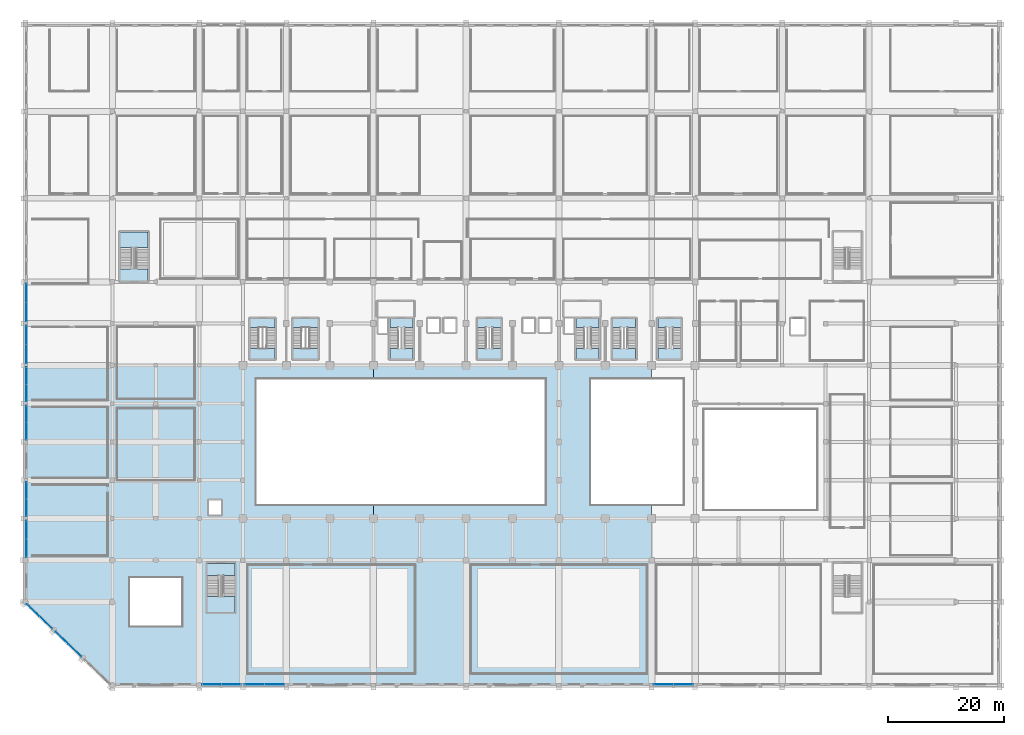
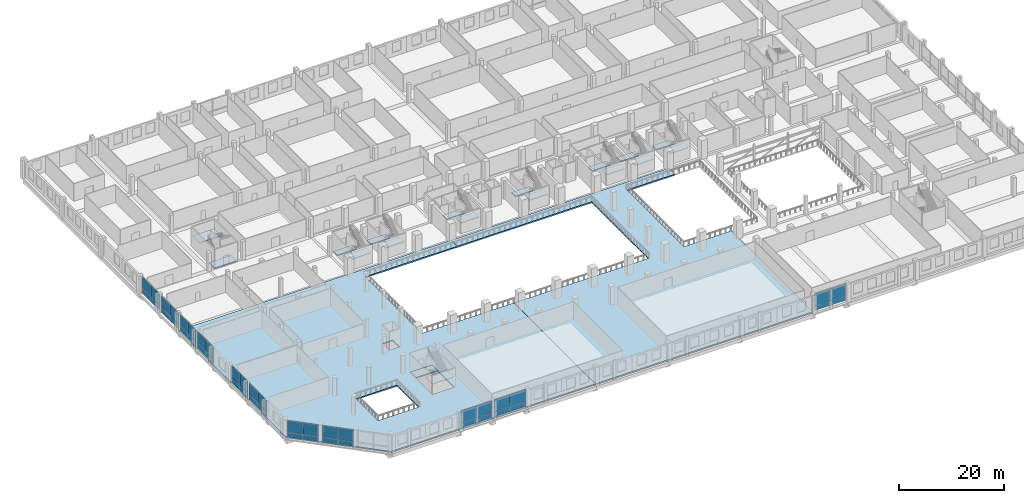
# One storey, part 37 of 64: 33 plates, 20 slabs, 20 elements without a shape of their own.
"""IFC4 building model written with IfcOpenShell, lengths in metres."""

from ifc_helpers import new_model, si_unit, direction, frame, origin, origin_2d, place, context, subcontext, project, spatial, polyline, rectangle, outline, extrude, material, layer, layer_set, type_object, element, aggregate, save


model = new_model("IFC4")

# Units and contexts
model_context = context("Model", 3, precision=1e-05, world=origin(), true_north=direction((0.0, 1.0)))
body_context = subcontext(model_context, "Body", "Model", "MODEL_VIEW")
ifc_project = project(units=[si_unit("LENGTHUNIT", "METRE"), si_unit("AREAUNIT", "SQUARE_METRE"), si_unit("VOLUMEUNIT", "CUBIC_METRE"), si_unit("PLANEANGLEUNIT", "RADIAN"), si_unit("MASSUNIT", "GRAM", prefix="KILO")], contexts=[model_context])

# Site, building, storey
site_placement = place(None, origin())
site = spatial("IfcSite", under=ifc_project, at=site_placement, CompositionType="ELEMENT")
building_placement = place(site_placement, origin())
building = spatial("IfcBuilding", under=site, at=building_placement, Name="Akrevak Sports Hall", CompositionType="ELEMENT")
storey_placement = place(building_placement, frame((0.0, 0.0, 4.60009765625)))
storey = spatial("IfcBuildingStorey", under=building, at=storey_placement, Name="L01", CompositionType="ELEMENT", Elevation=4.60009765625)

# Curtain wall, plates
ifc_material_1 = material(Name="Anodized Bronze Aluminium & Low-E Glass", Category="aluminium")
curtain_wall_type_1 = type_object("IfcCurtainWallType", Name="ARC-CW-POD-64x44", PredefinedType="NOTDEFINED", material=ifc_material_1)
curtain_wall_1_placement = place(storey_placement, origin())
curtain_wall_1 = element("IfcCurtainWall", 1, at=curtain_wall_1_placement, inside=storey, type_object=curtain_wall_type_1, Name="Curtain Wall CW-L01-CH2", PredefinedType="NOTDEFINED")
ifc_material_2 = material(Name="Double Low-E Tempered Glass", Category="glass")
ifc_layer_1 = layer(ifc_material_2, 0.035888671875, Name="Double Low-E Tempered Glass")
ifc_layer_set_1 = layer_set([ifc_layer_1], Name="Double Low-E Tempered Glass")
plate_type_1 = type_object("IfcPlateType", Name="ARC-CWP-GLZ-36", PredefinedType="CURTAIN_PANEL", material=ifc_layer_set_1)
plate_1_placement = place(storey_placement, frame((8.513671875, 6.060546875, 1.14990234375), z_axis=(0.0, 0.0, 1.0), x_axis=(-0.721385636978, 0.692533582407, 0.0)))
plate_1 = element("IfcPlate", 2, at=plate_1_placement, type_object=plate_type_1, Name="Vision Glass Panel CW-L01-CH2-G1", PredefinedType="CURTAIN_PANEL", context=body_context, shape_type="SweptSolid", body=[
    extrude(rectangle(XDim=3.04052734375, YDim=0.035888671875, at=origin_2d()), origin(), (0.0, 0.0, 1.0), 2.7900390625),
])
plate_2_placement = place(storey_placement, frame((6.3203125, 8.166259765625, 1.14990234375), z_axis=(0.0, 0.0, 1.0), x_axis=(-0.721385636978, 0.692533582407, 0.0)))
plate_2 = element("IfcPlate", 3, at=plate_2_placement, type_object=plate_type_1, Name="Vision Glass Panel CW-L01-CH2-G2", PredefinedType="CURTAIN_PANEL", context=body_context, shape_type="SweptSolid", body=[
    extrude(rectangle(XDim=3.04052734375, YDim=0.035888671875, at=origin_2d()), origin(), (0.0, 0.0, 1.0), 2.7900390625),
])

curtain_wall_2_placement = place(storey_placement, origin())
curtain_wall_2 = element("IfcCurtainWall", 4, at=curtain_wall_2_placement, inside=storey, type_object=curtain_wall_type_1, Name="Curtain Wall CW-L01-CH3", PredefinedType="NOTDEFINED")
plate_3_placement = place(storey_placement, frame((3.513671875, 10.860595703125, 1.14990234375), z_axis=(0.0, 0.0, 1.0), x_axis=(-0.721385636978, 0.692533582407, 0.0)))
plate_3 = element("IfcPlate", 5, at=plate_3_placement, type_object=plate_type_1, Name="Vision Glass Panel CW-L01-CH3-G1", PredefinedType="CURTAIN_PANEL", context=body_context, shape_type="SweptSolid", body=[
    extrude(rectangle(XDim=3.04052734375, YDim=0.035888671875, at=origin_2d()), origin(), (0.0, 0.0, 1.0), 2.7900390625),
])
plate_4_placement = place(storey_placement, frame((1.3203125, 12.96630859375, 1.14990234375), z_axis=(0.0, 0.0, 1.0), x_axis=(-0.721385636978, 0.692533582407, 0.0)))
plate_4 = element("IfcPlate", 6, at=plate_4_placement, type_object=plate_type_1, Name="Vision Glass Panel CW-L01-CH3-G2", PredefinedType="CURTAIN_PANEL", context=body_context, shape_type="SweptSolid", body=[
    extrude(rectangle(XDim=3.04052734375, YDim=0.035888671875, at=origin_2d()), origin(), (0.0, 0.0, 1.0), 2.7900390625),
])

curtain_wall_3_placement = place(storey_placement, origin())
curtain_wall_3 = element("IfcCurtainWall", 7, at=curtain_wall_3_placement, inside=storey, type_object=curtain_wall_type_1, Name="Curtain Wall CW-L01-S03", PredefinedType="NOTDEFINED")
plate_5_placement = place(storey_placement, frame((32.168701171875, 0.18994140625, 1.14990234375), z_axis=(0.0, 0.0, 1.0), x_axis=(1.0, 0.0, 0.0)))
plate_5 = element("IfcPlate", 8, at=plate_5_placement, type_object=plate_type_1, Name="Vision Glass Panel CW-L01-S03-G1", PredefinedType="CURTAIN_PANEL", context=body_context, shape_type="SweptSolid", body=[
    extrude(rectangle(XDim=3.33740234375, YDim=0.035888671875, at=origin_2d()), origin(), (0.0, 0.0, 1.0), 2.7900390625),
])
plate_6_placement = place(storey_placement, frame((35.506103515625, 0.18994140625, 1.14990234375), z_axis=(0.0, 0.0, 1.0), x_axis=(1.0, 0.0, 0.0)))
plate_6 = element("IfcPlate", 9, at=plate_6_placement, type_object=plate_type_1, Name="Vision Glass Panel CW-L01-S03-G2", PredefinedType="CURTAIN_PANEL", context=body_context, shape_type="SweptSolid", body=[
    extrude(rectangle(XDim=3.33740234375, YDim=0.035888671875, at=origin_2d()), origin(), (0.0, 0.0, 1.0), 2.7900390625),
])

curtain_wall_type_2 = type_object("IfcCurtainWallType", Name="ARC-CW-POD-70x42", PredefinedType="NOTDEFINED", material=ifc_material_1)
curtain_wall_4_placement = place(storey_placement, origin())
curtain_wall_4 = element("IfcCurtainWall", 10, at=curtain_wall_4_placement, inside=storey, type_object=curtain_wall_type_2, Name="Curtain Wall CW-L01-S04", PredefinedType="NOTDEFINED")
plate_7_placement = place(storey_placement, frame((39.53759765625, 0.18994140625, 1.14990234375), z_axis=(0.0, 0.0, 1.0), x_axis=(1.0, 0.0, 0.0)))
plate_7 = element("IfcPlate", 11, at=plate_7_placement, type_object=plate_type_1, Name="Vision Glass Panel CW-L01-S04-G1", PredefinedType="CURTAIN_PANEL", context=body_context, shape_type="SweptSolid", body=[
    extrude(rectangle(XDim=3.425048828125, YDim=0.035888671875, at=origin_2d()), origin(), (0.0, 0.0, 1.0), 2.7900390625),
])
plate_8_placement = place(storey_placement, frame((42.96240234375, 0.18994140625, 1.14990234375), z_axis=(0.0, 0.0, 1.0), x_axis=(1.0, 0.0, 0.0)))
plate_8 = element("IfcPlate", 12, at=plate_8_placement, type_object=plate_type_1, Name="Vision Glass Panel CW-L01-S04-G2", PredefinedType="CURTAIN_PANEL", context=body_context, shape_type="SweptSolid", body=[
    extrude(rectangle(XDim=3.425048828125, YDim=0.035888671875, at=origin_2d()), origin(), (0.0, 0.0, 1.0), 2.7900390625),
])

curtain_wall_5_placement = place(storey_placement, origin())
curtain_wall_5 = element("IfcCurtainWall", 13, at=curtain_wall_5_placement, inside=storey, type_object=curtain_wall_type_2, Name="Curtain Wall CW-L01-S13", PredefinedType="NOTDEFINED")
plate_9_placement = place(storey_placement, frame((110.074951171875, 0.18994140625, 1.14990234375), z_axis=(0.0, 0.0, 1.0), x_axis=(1.0, 0.0, 0.0)))
plate_9 = element("IfcPlate", 14, at=plate_9_placement, type_object=plate_type_1, Name="Vision Glass Panel CW-L01-S13-G1", PredefinedType="CURTAIN_PANEL", context=body_context, shape_type="SweptSolid", body=[
    extrude(rectangle(XDim=3.39990234375, YDim=0.035888671875, at=origin_2d()), origin(), (0.0, 0.0, 1.0), 2.7900390625),
])
plate_10_placement = place(storey_placement, frame((113.47509765625, 0.18994140625, 1.14990234375), z_axis=(0.0, 0.0, 1.0), x_axis=(1.0, 0.0, 0.0)))
plate_10 = element("IfcPlate", 15, at=plate_10_placement, type_object=plate_type_1, Name="Vision Glass Panel CW-L01-S13-G2", PredefinedType="CURTAIN_PANEL", context=body_context, shape_type="SweptSolid", body=[
    extrude(rectangle(XDim=3.39990234375, YDim=0.035888671875, at=origin_2d()), origin(), (0.0, 0.0, 1.0), 2.7900390625),
])

curtain_wall_6_placement = place(storey_placement, origin())
curtain_wall_6 = element("IfcCurtainWall", 16, at=curtain_wall_6_placement, inside=storey, type_object=curtain_wall_type_1, Name="Curtain Wall CW-L01-W02", PredefinedType="NOTDEFINED")
plate_11_placement = place(storey_placement, frame((0.18994140625, 26.84375, 1.14990234375), z_axis=(0.0, 0.0, 1.0), x_axis=(0.0, -1.0, 0.0)))
plate_11 = element("IfcPlate", 17, at=plate_11_placement, type_object=plate_type_1, Name="Vision Glass Panel CW-L01-W02-G1", PredefinedType="CURTAIN_PANEL", context=body_context, shape_type="SweptSolid", body=[
    extrude(rectangle(XDim=3.16259765625, YDim=0.035888671875, at=origin_2d()), origin(), (0.0, 0.0, 1.0), 2.7900390625),
])
plate_12_placement = place(storey_placement, frame((0.18994140625, 23.681396484375, 1.14990234375), z_axis=(0.0, 0.0, 1.0), x_axis=(0.0, -1.0, 0.0)))
plate_12 = element("IfcPlate", 18, at=plate_12_placement, type_object=plate_type_1, Name="Vision Glass Panel CW-L01-W02-G2", PredefinedType="CURTAIN_PANEL", context=body_context, shape_type="SweptSolid", body=[
    extrude(rectangle(XDim=3.16259765625, YDim=0.035888671875, at=origin_2d()), origin(), (0.0, 0.0, 1.0), 2.7900390625),
])

curtain_wall_7_placement = place(storey_placement, origin())
curtain_wall_7 = element("IfcCurtainWall", 19, at=curtain_wall_7_placement, inside=storey, type_object=curtain_wall_type_1, Name="Curtain Wall CW-L01-W03", PredefinedType="NOTDEFINED")
plate_13_placement = place(storey_placement, frame((0.18994140625, 33.60009765625, 1.14990234375), z_axis=(0.0, 0.0, 1.0), x_axis=(0.0, -1.0, 0.0)))
plate_13 = element("IfcPlate", 20, at=plate_13_placement, type_object=plate_type_1, Name="Vision Glass Panel CW-L01-W03-G1", PredefinedType="CURTAIN_PANEL", context=body_context, shape_type="SweptSolid", body=[
    extrude(rectangle(XDim=2.949951171875, YDim=0.035888671875, at=origin_2d()), origin(), (0.0, 0.0, 1.0), 2.7900390625),
])
plate_14_placement = place(storey_placement, frame((0.18994140625, 30.64990234375, 1.14990234375), z_axis=(0.0, 0.0, 1.0), x_axis=(0.0, -1.0, 0.0)))
plate_14 = element("IfcPlate", 21, at=plate_14_placement, type_object=plate_type_1, Name="Vision Glass Panel CW-L01-W03-G2", PredefinedType="CURTAIN_PANEL", context=body_context, shape_type="SweptSolid", body=[
    extrude(rectangle(XDim=2.949951171875, YDim=0.035888671875, at=origin_2d()), origin(), (0.0, 0.0, 1.0), 2.7900390625),
])

curtain_wall_8_placement = place(storey_placement, origin())
curtain_wall_8 = element("IfcCurtainWall", 22, at=curtain_wall_8_placement, inside=storey, type_object=curtain_wall_type_1, Name="Curtain Wall CW-L01-W05", PredefinedType="NOTDEFINED")
plate_15_placement = place(storey_placement, frame((0.18994140625, 46.762451171875, 1.14990234375), z_axis=(0.0, 0.0, 1.0), x_axis=(0.0, -1.0, 0.0)))
plate_15 = element("IfcPlate", 23, at=plate_15_placement, type_object=plate_type_1, Name="Vision Glass Panel CW-L01-W05-G1", PredefinedType="CURTAIN_PANEL", context=body_context, shape_type="SweptSolid", body=[
    extrude(rectangle(XDim=2.925048828125, YDim=0.035888671875, at=origin_2d()), origin(), (0.0, 0.0, 1.0), 2.7900390625),
])
plate_16_placement = place(storey_placement, frame((0.18994140625, 43.83740234375, 1.14990234375), z_axis=(0.0, 0.0, 1.0), x_axis=(0.0, -1.0, 0.0)))
plate_16 = element("IfcPlate", 24, at=plate_16_placement, type_object=plate_type_1, Name="Vision Glass Panel CW-L01-W05-G2", PredefinedType="CURTAIN_PANEL", context=body_context, shape_type="SweptSolid", body=[
    extrude(rectangle(XDim=2.925048828125, YDim=0.035888671875, at=origin_2d()), origin(), (0.0, 0.0, 1.0), 2.7900390625),
])

curtain_wall_9_placement = place(storey_placement, origin())
curtain_wall_9 = element("IfcCurtainWall", 25, at=curtain_wall_9_placement, inside=storey, type_object=curtain_wall_type_1, Name="Curtain Wall CW-L01-W06", PredefinedType="NOTDEFINED")
plate_17_placement = place(storey_placement, frame((0.18994140625, 53.39990234375, 1.14990234375), z_axis=(0.0, 0.0, 1.0), x_axis=(0.0, -1.0, 0.0)))
plate_17 = element("IfcPlate", 26, at=plate_17_placement, type_object=plate_type_1, Name="Vision Glass Panel CW-L01-W06-G1", PredefinedType="CURTAIN_PANEL", context=body_context, shape_type="SweptSolid", body=[
    extrude(rectangle(XDim=2.949951171875, YDim=0.035888671875, at=origin_2d()), origin(), (0.0, 0.0, 1.0), 2.7900390625),
])
plate_18_placement = place(storey_placement, frame((0.18994140625, 50.449951171875, 1.14990234375), z_axis=(0.0, 0.0, 1.0), x_axis=(0.0, -1.0, 0.0)))
plate_18 = element("IfcPlate", 27, at=plate_18_placement, type_object=plate_type_1, Name="Vision Glass Panel CW-L01-W06-G2", PredefinedType="CURTAIN_PANEL", context=body_context, shape_type="SweptSolid", body=[
    extrude(rectangle(XDim=2.949951171875, YDim=0.035888671875, at=origin_2d()), origin(), (0.0, 0.0, 1.0), 2.7900390625),
])

curtain_wall_10_placement = place(storey_placement, origin())
curtain_wall_10 = element("IfcCurtainWall", 28, at=curtain_wall_10_placement, inside=storey, type_object=curtain_wall_type_1, Name="Curtain Wall CW-L01-W07", PredefinedType="NOTDEFINED")
plate_19_placement = place(storey_placement, frame((0.18994140625, 60.39990234375, 1.14990234375), z_axis=(0.0, 0.0, 1.0), x_axis=(0.0, -1.0, 0.0)))
plate_19 = element("IfcPlate", 29, at=plate_19_placement, type_object=plate_type_1, Name="Vision Glass Panel CW-L01-W07-G1", PredefinedType="CURTAIN_PANEL", context=body_context, shape_type="SweptSolid", body=[
    extrude(rectangle(XDim=3.25, YDim=0.035888671875, at=origin_2d()), origin(), (0.0, 0.0, 1.0), 2.7900390625),
])
plate_20_placement = place(storey_placement, frame((0.18994140625, 57.14990234375, 1.14990234375), z_axis=(0.0, 0.0, 1.0), x_axis=(0.0, -1.0, 0.0)))
plate_20 = element("IfcPlate", 30, at=plate_20_placement, type_object=plate_type_1, Name="Vision Glass Panel CW-L01-W07-G2", PredefinedType="CURTAIN_PANEL", context=body_context, shape_type="SweptSolid", body=[
    extrude(rectangle(XDim=3.25, YDim=0.035888671875, at=origin_2d()), origin(), (0.0, 0.0, 1.0), 2.7900390625),
])

curtain_wall_11_placement = place(storey_placement, origin())
curtain_wall_11 = element("IfcCurtainWall", 31, at=curtain_wall_11_placement, inside=storey, type_object=curtain_wall_type_1, Name="Curtain Wall CW-L01-W08", PredefinedType="NOTDEFINED")
plate_21_placement = place(storey_placement, frame((0.18994140625, 67.64990234375, 1.14990234375), z_axis=(0.0, 0.0, 1.0), x_axis=(0.0, -1.0, 0.0)))
plate_21 = element("IfcPlate", 32, at=plate_21_placement, type_object=plate_type_1, Name="Vision Glass Panel CW-L01-W08-G1", PredefinedType="CURTAIN_PANEL", context=body_context, shape_type="SweptSolid", body=[
    extrude(rectangle(XDim=3.25, YDim=0.035888671875, at=origin_2d()), origin(), (0.0, 0.0, 1.0), 2.7900390625),
])
plate_22_placement = place(storey_placement, frame((0.18994140625, 64.39990234375, 1.14990234375), z_axis=(0.0, 0.0, 1.0), x_axis=(0.0, -1.0, 0.0)))
plate_22 = element("IfcPlate", 33, at=plate_22_placement, type_object=plate_type_1, Name="Vision Glass Panel CW-L01-W08-G2", PredefinedType="CURTAIN_PANEL", context=body_context, shape_type="SweptSolid", body=[
    extrude(rectangle(XDim=3.25, YDim=0.035888671875, at=origin_2d()), origin(), (0.0, 0.0, 1.0), 2.7900390625),
])

# Plate
ifc_material_3 = material(Name="Insulated Bronze Spandrel Panel", Category="aluminium")
ifc_layer_2 = layer(ifc_material_3, 0.0439453125, Name="Insulated Bronze Spandrel Panel")
ifc_layer_set_2 = layer_set([ifc_layer_2], Name="Insulated Bronze Spandrel Panel")
plate_type_2 = type_object("IfcPlateType", Name="ARC-CWP-SPD-44", PredefinedType="CURTAIN_PANEL", material=ifc_layer_set_2)
plate_23_placement = place(storey_placement, frame((7.4169921875, 7.11328125, 0.0), z_axis=(0.0, 0.0, 1.0), x_axis=(-0.721385636978, 0.692533582407, 0.0)))
plate_23 = element("IfcPlate", 34, at=plate_23_placement, type_object=plate_type_2, Name="Insulated Spandrel Panel CW-L01-CH2-S1", PredefinedType="CURTAIN_PANEL", context=body_context, shape_type="SweptSolid", body=[
    extrude(rectangle(XDim=6.0810546875, YDim=0.0439453125, at=origin_2d()), origin(), (0.0, 0.0, 1.0), 1.14990234375),
])

aggregate(curtain_wall_1, [plate_1, plate_2, plate_23])

plate_24_placement = place(storey_placement, frame((2.4169921875, 11.91357421875, 0.0), z_axis=(0.0, 0.0, 1.0), x_axis=(-0.721385636978, 0.692533582407, 0.0)))
plate_24 = element("IfcPlate", 35, at=plate_24_placement, type_object=plate_type_2, Name="Insulated Spandrel Panel CW-L01-CH3-S1", PredefinedType="CURTAIN_PANEL", context=body_context, shape_type="SweptSolid", body=[
    extrude(rectangle(XDim=6.0810546875, YDim=0.0439453125, at=origin_2d()), origin(), (0.0, 0.0, 1.0), 1.14990234375),
])

aggregate(curtain_wall_2, [plate_3, plate_4, plate_24])

plate_25_placement = place(storey_placement, frame((33.83740234375, 0.18994140625, 0.0), z_axis=(0.0, 0.0, 1.0), x_axis=(1.0, 0.0, 0.0)))
plate_25 = element("IfcPlate", 36, at=plate_25_placement, type_object=plate_type_2, Name="Insulated Spandrel Panel CW-L01-S03-S1", PredefinedType="CURTAIN_PANEL", context=body_context, shape_type="SweptSolid", body=[
    extrude(rectangle(XDim=6.675048828125, YDim=0.0439453125, at=origin_2d()), origin(), (0.0, 0.0, 1.0), 1.14990234375),
])

aggregate(curtain_wall_3, [plate_5, plate_6, plate_25])

plate_26_placement = place(storey_placement, frame((41.25, 0.18994140625, 0.0), z_axis=(0.0, 0.0, 1.0), x_axis=(1.0, 0.0, 0.0)))
plate_26 = element("IfcPlate", 37, at=plate_26_placement, type_object=plate_type_2, Name="Insulated Spandrel Panel CW-L01-S04-S1", PredefinedType="CURTAIN_PANEL", context=body_context, shape_type="SweptSolid", body=[
    extrude(rectangle(XDim=6.85009765625, YDim=0.0439453125, at=origin_2d()), origin(), (0.0, 0.0, 1.0), 1.14990234375),
])

aggregate(curtain_wall_4, [plate_7, plate_8, plate_26])

plate_27_placement = place(storey_placement, frame((111.77490234375, 0.18994140625, 0.0), z_axis=(0.0, 0.0, 1.0), x_axis=(1.0, 0.0, 0.0)))
plate_27 = element("IfcPlate", 38, at=plate_27_placement, type_object=plate_type_2, Name="Insulated Spandrel Panel CW-L01-S13-S1", PredefinedType="CURTAIN_PANEL", context=body_context, shape_type="SweptSolid", body=[
    extrude(rectangle(XDim=6.800048828125, YDim=0.0439453125, at=origin_2d()), origin(), (0.0, 0.0, 1.0), 1.14990234375),
])

aggregate(curtain_wall_5, [plate_9, plate_10, plate_27])

plate_28_placement = place(storey_placement, frame((0.18994140625, 25.262451171875, 0.0), z_axis=(0.0, 0.0, 1.0), x_axis=(0.0, -1.0, 0.0)))
plate_28 = element("IfcPlate", 39, at=plate_28_placement, type_object=plate_type_2, Name="Insulated Spandrel Panel CW-L01-W02-S1", PredefinedType="CURTAIN_PANEL", context=body_context, shape_type="SweptSolid", body=[
    extrude(rectangle(XDim=6.324951171875, YDim=0.0439453125, at=origin_2d()), origin(), (0.0, 0.0, 1.0), 1.14990234375),
])

aggregate(curtain_wall_6, [plate_11, plate_12, plate_28])

plate_29_placement = place(storey_placement, frame((0.18994140625, 32.125, 0.0), z_axis=(0.0, 0.0, 1.0), x_axis=(0.0, -1.0, 0.0)))
plate_29 = element("IfcPlate", 40, at=plate_29_placement, type_object=plate_type_2, Name="Insulated Spandrel Panel CW-L01-W03-S1", PredefinedType="CURTAIN_PANEL", context=body_context, shape_type="SweptSolid", body=[
    extrude(rectangle(XDim=5.89990234375, YDim=0.0439453125, at=origin_2d()), origin(), (0.0, 0.0, 1.0), 1.14990234375),
])

aggregate(curtain_wall_7, [plate_13, plate_14, plate_29])

plate_30_placement = place(storey_placement, frame((0.18994140625, 45.300048828125, 0.0), z_axis=(0.0, 0.0, 1.0), x_axis=(0.0, -1.0, 0.0)))
plate_30 = element("IfcPlate", 41, at=plate_30_placement, type_object=plate_type_2, Name="Insulated Spandrel Panel CW-L01-W05-S1", PredefinedType="CURTAIN_PANEL", context=body_context, shape_type="SweptSolid", body=[
    extrude(rectangle(XDim=5.85009765625, YDim=0.0439453125, at=origin_2d()), origin(), (0.0, 0.0, 1.0), 1.14990234375),
])

aggregate(curtain_wall_8, [plate_15, plate_16, plate_30])

plate_31_placement = place(storey_placement, frame((0.18994140625, 51.925048828125, 0.0), z_axis=(0.0, 0.0, 1.0), x_axis=(0.0, -1.0, 0.0)))
plate_31 = element("IfcPlate", 42, at=plate_31_placement, type_object=plate_type_2, Name="Insulated Spandrel Panel CW-L01-W06-S1", PredefinedType="CURTAIN_PANEL", context=body_context, shape_type="SweptSolid", body=[
    extrude(rectangle(XDim=5.89990234375, YDim=0.0439453125, at=origin_2d()), origin(), (0.0, 0.0, 1.0), 1.14990234375),
])

aggregate(curtain_wall_9, [plate_17, plate_18, plate_31])

plate_32_placement = place(storey_placement, frame((0.18994140625, 58.77490234375, 0.0), z_axis=(0.0, 0.0, 1.0), x_axis=(0.0, -1.0, 0.0)))
plate_32 = element("IfcPlate", 43, at=plate_32_placement, type_object=plate_type_2, Name="Insulated Spandrel Panel CW-L01-W07-S1", PredefinedType="CURTAIN_PANEL", context=body_context, shape_type="SweptSolid", body=[
    extrude(rectangle(XDim=6.5, YDim=0.0439453125, at=origin_2d()), origin(), (0.0, 0.0, 1.0), 1.14990234375),
])

aggregate(curtain_wall_10, [plate_19, plate_20, plate_32])

plate_33_placement = place(storey_placement, frame((0.18994140625, 66.02490234375, 0.0), z_axis=(0.0, 0.0, 1.0), x_axis=(0.0, -1.0, 0.0)))
plate_33 = element("IfcPlate", 44, at=plate_33_placement, type_object=plate_type_2, Name="Insulated Spandrel Panel CW-L01-W08-S1", PredefinedType="CURTAIN_PANEL", context=body_context, shape_type="SweptSolid", body=[
    extrude(rectangle(XDim=6.5, YDim=0.0439453125, at=origin_2d()), origin(), (0.0, 0.0, 1.0), 1.14990234375),
])

aggregate(curtain_wall_11, [plate_21, plate_22, plate_33])

# Slabs
ifc_material_4 = material(Name="Concrete C40/50", Category="concrete")
ifc_layer_3 = layer(ifc_material_4, 0.300048828125, Name="Concrete C40/50")
ifc_layer_set_3 = layer_set([ifc_layer_3], Name="Concrete C40/50")
slab_type_1 = type_object("IfcSlabType", Name="STR-SLB-FLR-300", PredefinedType="FLOOR", material=ifc_layer_set_3)
slab_1_placement = place(storey_placement, frame((0.0, 0.0, -0.300048828125)))
element("IfcSlab", 45, at=slab_1_placement, inside=storey, type_object=slab_type_1, Name="Structural Floor Slab L01-1.1", PredefinedType="FLOOR", context=body_context, shape_type="SweptSolid", body=[
    extrude(outline(polyline([(0.0, 14.39990234375), (15.0, 0.0), (60.0, 0.0), (60.0, 31.14990234375), (39.800048828125, 31.14990234375), (39.800048828125, 52.85009765625), (60.0, 52.85009765625), (60.0, 55.199951171875), (0.0, 55.199951171875), (0.0, 14.39990234375)]), holes=[polyline([(27.0, 18.60009765625), (27.0, 10.199951171875), (18.0, 10.199951171875), (18.0, 18.60009765625), (27.0, 18.60009765625)]), polyline([(36.14990234375, 21.050048828125), (36.14990234375, 12.60009765625), (31.35009765625, 12.60009765625), (31.35009765625, 21.050048828125), (36.14990234375, 21.050048828125)]), polyline([(33.780029296875, 31.97998046875), (33.780029296875, 29.419921875), (31.6201171875, 29.419921875), (31.6201171875, 31.97998046875), (33.780029296875, 31.97998046875)])]), origin(), (0.0, 0.0, 1.0), 0.300048828125),
])
slab_2_placement = place(storey_placement, frame((0.0, 0.0, -0.300048828125)))
element("IfcSlab", 46, at=slab_2_placement, inside=storey, type_object=slab_type_1, Name="Structural Floor Slab L01-3.1", PredefinedType="FLOOR", context=body_context, shape_type="SweptSolid", body=[
    extrude(outline(polyline([(108.0, 0.0), (108.0, 31.14990234375), (97.5, 31.14990234375), (97.5, 52.85009765625), (108.0, 52.85009765625), (108.0, 55.199951171875), (60.0, 55.199951171875), (60.0, 52.85009765625), (89.699951171875, 52.85009765625), (89.699951171875, 31.14990234375), (60.0, 31.14990234375), (60.0, 0.0), (108.0, 0.0)])), origin(), (0.0, 0.0, 1.0), 0.300048828125),
])

# Stair, slab
stair_type_1 = type_object("IfcStairType", Name="ARC-STR-DOG-480", PredefinedType="HALF_TURN_STAIR", material=ifc_material_4)
stair_1_placement = place(storey_placement, origin())
stair_1 = element("IfcStair", 47, at=stair_1_placement, inside=storey, type_object=stair_type_1, Name="Protected Exit Stair ST1 (L01 to L02)", PredefinedType="HALF_TURN_STAIR")
ifc_layer_4 = layer(ifc_material_4, 0.199951171875, Name="Concrete C40/50")
ifc_layer_set_4 = layer_set([ifc_layer_4], Name="Concrete C40/50")
slab_type_2 = type_object("IfcSlabType", Name="STR-SLB-LAND-200", PredefinedType="LANDING", material=ifc_layer_set_4)
slab_3_placement = place(storey_placement, frame((0.0, 0.0, 2.199951171875)))
slab_3 = element("IfcSlab", 48, at=slab_3_placement, type_object=slab_type_2, Name="Stair ST1 Half-Landing 1 (L01)", PredefinedType="LANDING", context=body_context, shape_type="SweptSolid", body=[
    extrude(outline(polyline([(62.85009765625, 56.300048828125), (66.85009765625, 56.300048828125), (66.85009765625, 58.094970703125), (62.85009765625, 58.094970703125), (62.85009765625, 56.300048828125)])), origin(), (0.0, 0.0, 1.0), 0.199951171875),
])
aggregate(stair_1, [slab_3])

stair_2_placement = place(storey_placement, origin())
stair_2 = element("IfcStair", 49, at=stair_2_placement, inside=storey, type_object=stair_type_1, Name="Protected Exit Stair ST2 (L01 to L02)", PredefinedType="HALF_TURN_STAIR")
slab_4_placement = place(storey_placement, frame((0.0, 0.0, 2.199951171875)))
slab_4 = element("IfcSlab", 50, at=slab_4_placement, type_object=slab_type_2, Name="Stair ST2 Half-Landing 1 (L01)", PredefinedType="LANDING", context=body_context, shape_type="SweptSolid", body=[
    extrude(outline(polyline([(94.949951171875, 56.300048828125), (98.949951171875, 56.300048828125), (98.949951171875, 58.094970703125), (94.949951171875, 58.094970703125), (94.949951171875, 56.300048828125)])), origin(), (0.0, 0.0, 1.0), 0.199951171875),
])
aggregate(stair_2, [slab_4])

stair_3_placement = place(storey_placement, origin())
stair_3 = element("IfcStair", 51, at=stair_3_placement, inside=storey, type_object=stair_type_1, Name="Protected Exit Stair ST3 (L01 to L02)", PredefinedType="HALF_TURN_STAIR")
slab_5_placement = place(storey_placement, frame((0.0, 0.0, 2.199951171875)))
slab_5 = element("IfcSlab", 52, at=slab_5_placement, type_object=slab_type_2, Name="Stair ST3 Half-Landing 1 (L01)", PredefinedType="LANDING", context=body_context, shape_type="SweptSolid", body=[
    extrude(outline(polyline([(78.0, 56.300048828125), (82.0, 56.300048828125), (82.0, 58.094970703125), (78.0, 58.094970703125), (78.0, 56.300048828125)])), origin(), (0.0, 0.0, 1.0), 0.199951171875),
])
aggregate(stair_3, [slab_5])

stair_type_2 = type_object("IfcStairType", Name="ARC-STR-MDOG-480", PredefinedType="HALF_TURN_STAIR", material=ifc_material_4)
stair_4_placement = place(storey_placement, origin())
stair_4 = element("IfcStair", 53, at=stair_4_placement, inside=storey, type_object=stair_type_2, Name="Protected Exit Stair ST4 (L01 to L02)", PredefinedType="HALF_TURN_STAIR")
slab_6_placement = place(storey_placement, frame((0.0, 0.0, 2.199951171875)))
slab_6 = element("IfcSlab", 54, at=slab_6_placement, type_object=slab_type_2, Name="Stair ST4 Half-Landing 1 (L01)", PredefinedType="LANDING", context=body_context, shape_type="SweptSolid", body=[
    extrude(outline(polyline([(46.14990234375, 56.300048828125), (50.449951171875, 56.300048828125), (50.449951171875, 58.094970703125), (46.14990234375, 58.094970703125), (46.14990234375, 56.300048828125)])), origin(), (0.0, 0.0, 1.0), 0.199951171875),
])
aggregate(stair_4, [slab_6])

stair_type_3 = type_object("IfcStairType", Name="ARC-STR-PDOG-480", PredefinedType="HALF_TURN_STAIR", material=ifc_material_4)
stair_5_placement = place(storey_placement, origin())
stair_5 = element("IfcStair", 55, at=stair_5_placement, inside=storey, type_object=stair_type_3, Name="Podium SW Exit Stair ST5 (L01 to L02)", PredefinedType="HALF_TURN_STAIR")
slab_7_placement = place(storey_placement, frame((0.0, 0.0, 2.199951171875)))
slab_7 = element("IfcSlab", 56, at=slab_7_placement, type_object=slab_type_2, Name="Stair ST5 Half-Landing 1 (L01)", PredefinedType="LANDING", context=body_context, shape_type="SweptSolid", body=[
    extrude(outline(polyline([(31.35009765625, 12.60009765625), (36.14990234375, 12.60009765625), (36.14990234375, 15.31005859375), (31.35009765625, 15.31005859375), (31.35009765625, 12.60009765625)])), origin(), (0.0, 0.0, 1.0), 0.199951171875),
])
aggregate(stair_5, [slab_7])

stair_6_placement = place(storey_placement, origin())
stair_6 = element("IfcStair", 57, at=stair_6_placement, inside=storey, type_object=stair_type_3, Name="Podium NW Exit Stair ST6 (L01 to L02)", PredefinedType="HALF_TURN_STAIR")
slab_8_placement = place(storey_placement, frame((0.0, 0.0, 2.199951171875)))
slab_8 = element("IfcSlab", 58, at=slab_8_placement, type_object=slab_type_2, Name="Stair ST6 Half-Landing 1 (L01)", PredefinedType="LANDING", context=body_context, shape_type="SweptSolid", body=[
    extrude(outline(polyline([(16.35009765625, 75.489990234375), (21.14990234375, 75.489990234375), (21.14990234375, 78.199951171875), (16.35009765625, 78.199951171875), (16.35009765625, 75.489990234375)])), origin(), (0.0, 0.0, 1.0), 0.199951171875),
])
aggregate(stair_6, [slab_8])

stair_7_placement = place(storey_placement, origin())
stair_7 = element("IfcStair", 59, at=stair_7_placement, inside=storey, type_object=stair_type_2, Name="Transfer West Exit Stair ST9 (L01 to L02)", PredefinedType="HALF_TURN_STAIR")
slab_9_placement = place(storey_placement, frame((0.0, 0.0, 2.199951171875)))
slab_9 = element("IfcSlab", 60, at=slab_9_placement, type_object=slab_type_2, Name="Stair ST9 Half-Landing 1 (L01)", PredefinedType="LANDING", context=body_context, shape_type="SweptSolid", body=[
    extrude(outline(polyline([(38.75, 56.300048828125), (43.050048828125, 56.300048828125), (43.050048828125, 58.094970703125), (38.75, 58.094970703125), (38.75, 56.300048828125)])), origin(), (0.0, 0.0, 1.0), 0.199951171875),
])
aggregate(stair_7, [slab_9])

stair_8_placement = place(storey_placement, origin())
stair_8 = element("IfcStair", 61, at=stair_8_placement, inside=storey, type_object=stair_type_1, Name="East Wing Exit Stair ST10 (L01 to L02)", PredefinedType="HALF_TURN_STAIR")
slab_10_placement = place(storey_placement, frame((0.0, 0.0, 2.199951171875)))
slab_10 = element("IfcSlab", 62, at=slab_10_placement, type_object=slab_type_2, Name="Stair ST10 Half-Landing 1 (L01)", PredefinedType="LANDING", context=body_context, shape_type="SweptSolid", body=[
    extrude(outline(polyline([(101.25, 56.300048828125), (105.25, 56.300048828125), (105.25, 58.094970703125), (101.25, 58.094970703125), (101.25, 56.300048828125)])), origin(), (0.0, 0.0, 1.0), 0.199951171875),
])
aggregate(stair_8, [slab_10])

stair_9_placement = place(storey_placement, origin())
stair_9 = element("IfcStair", 63, at=stair_9_placement, inside=storey, type_object=stair_type_1, Name="East Transfer Exit Stair ST11 (L01 to L02)", PredefinedType="HALF_TURN_STAIR")
slab_11_placement = place(storey_placement, frame((0.0, 0.0, 2.199951171875)))
slab_11 = element("IfcSlab", 64, at=slab_11_placement, type_object=slab_type_2, Name="Stair ST11 Half-Landing 1 (L01)", PredefinedType="LANDING", context=body_context, shape_type="SweptSolid", body=[
    extrude(outline(polyline([(109.050048828125, 56.300048828125), (113.050048828125, 56.300048828125), (113.050048828125, 58.094970703125), (109.050048828125, 58.094970703125), (109.050048828125, 56.300048828125)])), origin(), (0.0, 0.0, 1.0), 0.199951171875),
])
aggregate(stair_9, [slab_11])

# Slabs
ifc_layer_5 = layer(ifc_material_4, 0.219970703125, Name="Concrete C40/50")
ifc_layer_set_5 = layer_set([ifc_layer_5], Name="Concrete C40/50")
slab_type_3 = type_object("IfcSlabType", Name="STR-SLB-LAND-220", PredefinedType="LANDING", material=ifc_layer_set_5)
slab_12_placement = place(storey_placement, frame((0.0, 0.0, -0.22021484375)))
element("IfcSlab", 65, at=slab_12_placement, inside=storey, type_object=slab_type_3, Name="Stair ST1 Floor Landing (L01)", PredefinedType="LANDING", context=body_context, shape_type="SweptSolid", body=[
    extrude(outline(polyline([(62.85009765625, 61.735107421875), (66.85009765625, 61.735107421875), (66.85009765625, 63.25), (62.85009765625, 63.25), (62.85009765625, 61.735107421875)])), origin(), (0.0, 0.0, 1.0), 0.22021484375),
])
slab_13_placement = place(storey_placement, frame((0.0, 0.0, -0.22021484375)))
element("IfcSlab", 66, at=slab_13_placement, inside=storey, type_object=slab_type_3, Name="Stair ST2 Floor Landing (L01)", PredefinedType="LANDING", context=body_context, shape_type="SweptSolid", body=[
    extrude(outline(polyline([(94.949951171875, 61.735107421875), (98.949951171875, 61.735107421875), (98.949951171875, 63.25), (94.949951171875, 63.25), (94.949951171875, 61.735107421875)])), origin(), (0.0, 0.0, 1.0), 0.22021484375),
])
slab_14_placement = place(storey_placement, frame((0.0, 0.0, -0.22021484375)))
element("IfcSlab", 67, at=slab_14_placement, inside=storey, type_object=slab_type_3, Name="Stair ST3 Floor Landing (L01)", PredefinedType="LANDING", context=body_context, shape_type="SweptSolid", body=[
    extrude(outline(polyline([(78.0, 61.735107421875), (82.0, 61.735107421875), (82.0, 63.25), (78.0, 63.25), (78.0, 61.735107421875)])), origin(), (0.0, 0.0, 1.0), 0.22021484375),
])
slab_15_placement = place(storey_placement, frame((0.0, 0.0, -0.22021484375)))
element("IfcSlab", 68, at=slab_15_placement, inside=storey, type_object=slab_type_3, Name="Stair ST4 Floor Landing (L01)", PredefinedType="LANDING", context=body_context, shape_type="SweptSolid", body=[
    extrude(outline(polyline([(46.14990234375, 61.735107421875), (50.449951171875, 61.735107421875), (50.449951171875, 63.25), (46.14990234375, 63.25), (46.14990234375, 61.735107421875)])), origin(), (0.0, 0.0, 1.0), 0.22021484375),
])
slab_16_placement = place(storey_placement, frame((0.0, 0.0, -0.22021484375)))
element("IfcSlab", 69, at=slab_16_placement, inside=storey, type_object=slab_type_3, Name="Stair ST5 Floor Landing (L01)", PredefinedType="LANDING", context=body_context, shape_type="SweptSolid", body=[
    extrude(outline(polyline([(31.35009765625, 18.949951171875), (36.14990234375, 18.949951171875), (36.14990234375, 21.050048828125), (31.35009765625, 21.050048828125), (31.35009765625, 18.949951171875)])), origin(), (0.0, 0.0, 1.0), 0.22021484375),
])
slab_17_placement = place(storey_placement, frame((0.0, 0.0, -0.22021484375)))
element("IfcSlab", 70, at=slab_17_placement, inside=storey, type_object=slab_type_3, Name="Stair ST6 Floor Landing (L01)", PredefinedType="LANDING", context=body_context, shape_type="SweptSolid", body=[
    extrude(outline(polyline([(16.35009765625, 69.75), (21.14990234375, 69.75), (21.14990234375, 71.85009765625), (16.35009765625, 71.85009765625), (16.35009765625, 69.75)])), origin(), (0.0, 0.0, 1.0), 0.22021484375),
])
slab_18_placement = place(storey_placement, frame((0.0, 0.0, -0.22021484375)))
element("IfcSlab", 71, at=slab_18_placement, inside=storey, type_object=slab_type_3, Name="Stair ST9 Floor Landing (L01)", PredefinedType="LANDING", context=body_context, shape_type="SweptSolid", body=[
    extrude(outline(polyline([(38.75, 61.735107421875), (43.050048828125, 61.735107421875), (43.050048828125, 63.25), (38.75, 63.25), (38.75, 61.735107421875)])), origin(), (0.0, 0.0, 1.0), 0.22021484375),
])
slab_19_placement = place(storey_placement, frame((0.0, 0.0, -0.22021484375)))
element("IfcSlab", 72, at=slab_19_placement, inside=storey, type_object=slab_type_3, Name="Stair ST10 Floor Landing (L01)", PredefinedType="LANDING", context=body_context, shape_type="SweptSolid", body=[
    extrude(outline(polyline([(101.25, 61.735107421875), (105.25, 61.735107421875), (105.25, 63.25), (101.25, 63.25), (101.25, 61.735107421875)])), origin(), (0.0, 0.0, 1.0), 0.22021484375),
])
slab_20_placement = place(storey_placement, frame((0.0, 0.0, -0.22021484375)))
element("IfcSlab", 73, at=slab_20_placement, inside=storey, type_object=slab_type_3, Name="Stair ST11 Floor Landing (L01)", PredefinedType="LANDING", context=body_context, shape_type="SweptSolid", body=[
    extrude(outline(polyline([(109.050048828125, 61.735107421875), (113.050048828125, 61.735107421875), (113.050048828125, 63.25), (109.050048828125, 63.25), (109.050048828125, 61.735107421875)])), origin(), (0.0, 0.0, 1.0), 0.22021484375),
])

save(model, "model.ifc")
